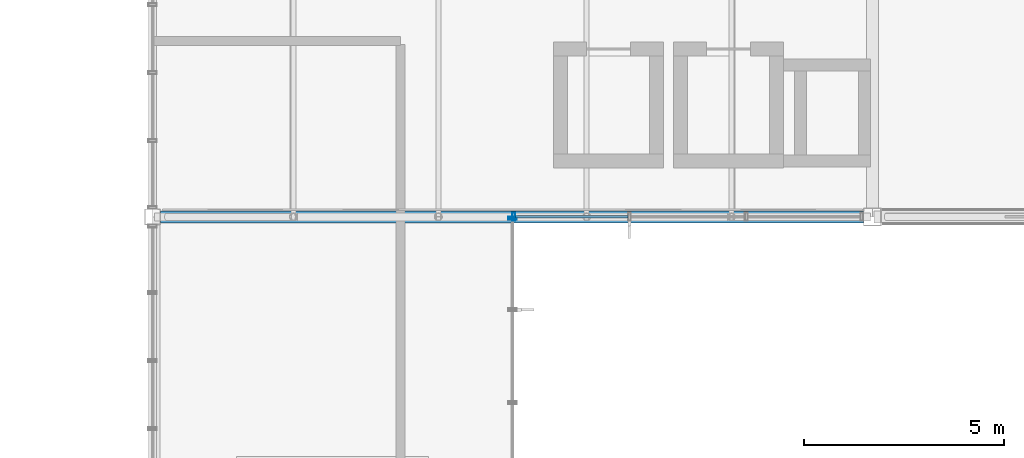
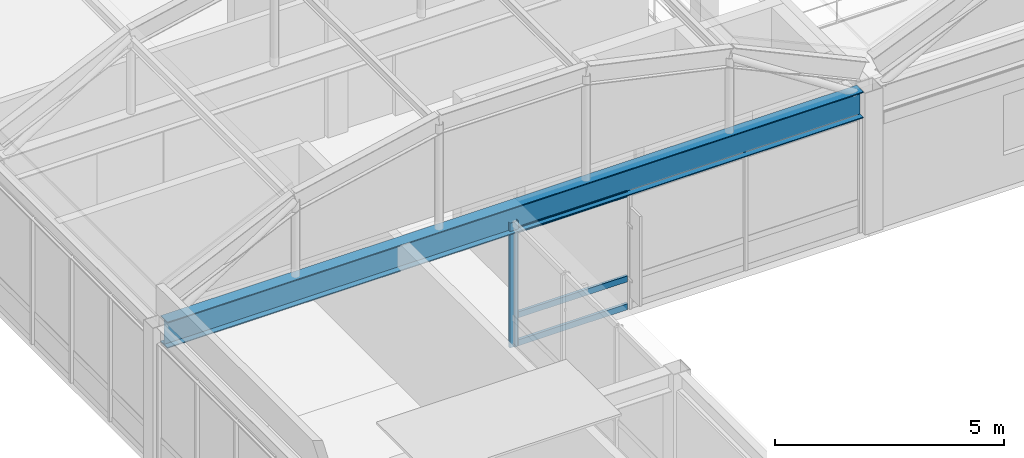
# One storey, part 21 of 106: 5 members, 1 beam, 2 elements without a shape of their own.
"""IFC4 building model written with IfcOpenShell, lengths in metres."""

from ifc_helpers import new_model, si_unit, direction, frame, origin, origin_2d, place, context, subcontext, project, spatial, hollow_rectangle, i_section, extrude, material, material_profile, profile_set, type_object, element, aggregate, save


model = new_model("IFC4")

# Units and contexts
model_context = context("Model", 3, precision=1e-05, world=origin(), true_north=direction((0.0, 1.0)))
body_context = subcontext(model_context, "Body", "Model", "MODEL_VIEW")
ifc_project = project(units=[si_unit("LENGTHUNIT", "METRE"), si_unit("AREAUNIT", "SQUARE_METRE"), si_unit("VOLUMEUNIT", "CUBIC_METRE"), si_unit("PLANEANGLEUNIT", "RADIAN"), si_unit("MASSUNIT", "GRAM", prefix="KILO")], contexts=[model_context])

# Site, building, storey
site_placement = place(None, origin())
site = spatial("IfcSite", under=ifc_project, at=site_placement, CompositionType="ELEMENT")
building_placement = place(site_placement, origin())
building = spatial("IfcBuilding", under=site, at=building_placement, Name="Kazanami Central Library", CompositionType="ELEMENT")
storey_placement = place(building_placement, frame((0.0, 0.0, 12.800048828125)))
storey = spatial("IfcBuildingStorey", under=building, at=storey_placement, Name="L04", CompositionType="ELEMENT", Elevation=12.800048828125)

# Beam
ifc_material_1 = material(Name="Steel SN490B (325 MPa)", Category="steel")
ifc_material_profile_1 = material_profile(ifc_material_1, i_section(OverallWidth=0.300048828125, OverallDepth=0.699951171875, WebThickness=0.012939453125, FlangeThickness=0.02392578125, at=origin_2d()), Name="H-700x300x13x24")
ifc_profile_set_1 = profile_set([ifc_material_profile_1], Name="Steel SN490B (325 MPa)")
beam_type = type_object("IfcBeamType", Name="BM-G-AT", PredefinedType="BEAM", material=ifc_profile_set_1)
beam_placement = place(storey_placement, frame((45.197998046875, 64.800048828125, 3.429931640625), z_axis=(1.0, 0.0, 0.0), x_axis=(0.0, 1.0, 0.0)))
element("IfcBeam", 1, at=beam_placement, inside=storey, type_object=beam_type, Name="Barrel Vault Springing Tie Girder G-AT L04 W Grid K", PredefinedType="BEAM", context=body_context, shape_type="SweptSolid", body=[
    extrude(i_section(OverallWidth=0.300048828125, OverallDepth=0.699951171875, WebThickness=0.012939453125, FlangeThickness=0.02392578125, at=origin_2d()), origin(), (0.0, 0.0, 1.0), 17.5791015625),
])

# Curtain wall, member
ifc_material_2 = material(Name="Acid-Etched Low-E Laminated Glass", Category="glass")
curtain_wall_type_1 = type_object("IfcCurtainWallType", Name="CW-8775x3080-M275", PredefinedType="USERDEFINED", material=ifc_material_2)
curtain_wall_1_placement = place(storey_placement, origin())
curtain_wall_1 = element("IfcCurtainWall", 2, at=curtain_wall_1_placement, inside=storey, type_object=curtain_wall_type_1, Name="Unitised Curtain Wall CW-40 L04 S-K-06", ObjectType="UNITISED CURTAIN WALL", PredefinedType="USERDEFINED")
ifc_material_3 = material(Name="Anodised Aluminium A6063-T5", Category="aluminium")
ifc_material_profile_2 = material_profile(ifc_material_3, hollow_rectangle(XDim=0.070068359375, YDim=0.2099609375, WallThickness=0.0048828125, at=origin_2d()), Name="ALU-MULL-70x210x5")
ifc_profile_set_2 = profile_set([ifc_material_profile_2], Name="Anodised Aluminium A6063-T5")
member_type_1 = type_object("IfcMemberType", Name="MEM-CW-M1", PredefinedType="MULLION", material=ifc_profile_set_2)
member_1_placement = place(storey_placement, frame((54.034912109375, 64.800048828125, 0.0), z_axis=(0.0, 0.0, 1.0), x_axis=(1.0, 0.0, 0.0)))
member_1 = element("IfcMember", 3, at=member_1_placement, type_object=member_type_1, Name="CW-40 mullion 1", PredefinedType="MULLION", context=body_context, shape_type="SweptSolid", body=[
    extrude(hollow_rectangle(XDim=0.070068359375, YDim=0.2099609375, WallThickness=0.0048828125, at=origin_2d()), origin(), (0.0, 0.0, 1.0), 3.079833984375),
])

curtain_wall_type_2 = type_object("IfcCurtainWallType", Name="CW-6975x3330-M275", PredefinedType="USERDEFINED", material=ifc_material_2)
curtain_wall_2_placement = place(storey_placement, origin())
curtain_wall_2 = element("IfcCurtainWall", 4, at=curtain_wall_2_placement, inside=storey, type_object=curtain_wall_type_2, Name="Unitised Curtain Wall CW-46 L04 E-7-08", ObjectType="UNITISED CURTAIN WALL", PredefinedType="USERDEFINED")
member_2_placement = place(storey_placement, frame((54.0, 64.764892578125, 0.0), z_axis=(0.0, 0.0, 1.0), x_axis=(0.0, -1.0, 0.0)))
member_2 = element("IfcMember", 5, at=member_2_placement, type_object=member_type_1, Name="CW-46 mullion 1", PredefinedType="MULLION", context=body_context, shape_type="SweptSolid", body=[
    extrude(hollow_rectangle(XDim=0.070068359375, YDim=0.2099609375, WallThickness=0.0048828125, at=origin_2d()), origin(), (0.0, 0.0, 1.0), 3.329833984375),
])
aggregate(curtain_wall_2, [member_2])

# Member
ifc_material_profile_3 = material_profile(ifc_material_3, hollow_rectangle(XDim=0.070068359375, YDim=0.159912109375, WallThickness=0.00390625, at=origin_2d()), Name="ALU-TRAN-70x160x4")
ifc_profile_set_3 = profile_set([ifc_material_profile_3], Name="Anodised Aluminium A6063-T5")
member_type_2 = type_object("IfcMemberType", Name="MEM-CW-T1", PredefinedType="USERDEFINED", material=ifc_profile_set_3)
member_3_placement = place(storey_placement, frame((54.070068359375, 64.800048828125, 0.034912109375), z_axis=(1.0, 0.0, 0.0), x_axis=(0.0, 1.0, 0.0)))
member_3 = element("IfcMember", 6, at=member_3_placement, type_object=member_type_2, Name="CW-40 transom 1.1", ObjectType="TRANSOM", PredefinedType="USERDEFINED", context=body_context, shape_type="SweptSolid", body=[
    extrude(hollow_rectangle(XDim=0.070068359375, YDim=0.159912109375, WallThickness=0.00390625, at=origin_2d()), origin(), (0.0, 0.0, 1.0), 2.81982421875),
])

member_4_placement = place(storey_placement, frame((54.070068359375, 64.800048828125, 0.780029296875), z_axis=(1.0, 0.0, 0.0), x_axis=(0.0, 1.0, 0.0)))
member_4 = element("IfcMember", 7, at=member_4_placement, type_object=member_type_2, Name="CW-40 transom 1.2", ObjectType="TRANSOM", PredefinedType="USERDEFINED", context=body_context, shape_type="SweptSolid", body=[
    extrude(hollow_rectangle(XDim=0.070068359375, YDim=0.159912109375, WallThickness=0.00390625, at=origin_2d()), origin(), (0.0, 0.0, 1.0), 2.81982421875),
])

member_5_placement = place(storey_placement, frame((54.070068359375, 64.800048828125, 3.044921875), z_axis=(1.0, 0.0, 0.0), x_axis=(0.0, 1.0, 0.0)))
member_5 = element("IfcMember", 8, at=member_5_placement, type_object=member_type_2, Name="CW-40 transom 1.3", ObjectType="TRANSOM", PredefinedType="USERDEFINED", context=body_context, shape_type="SweptSolid", body=[
    extrude(hollow_rectangle(XDim=0.070068359375, YDim=0.159912109375, WallThickness=0.00390625, at=origin_2d()), origin(), (0.0, 0.0, 1.0), 2.81982421875),
])

aggregate(curtain_wall_1, [member_1, member_3, member_4, member_5])

save(model, "model.ifc")
